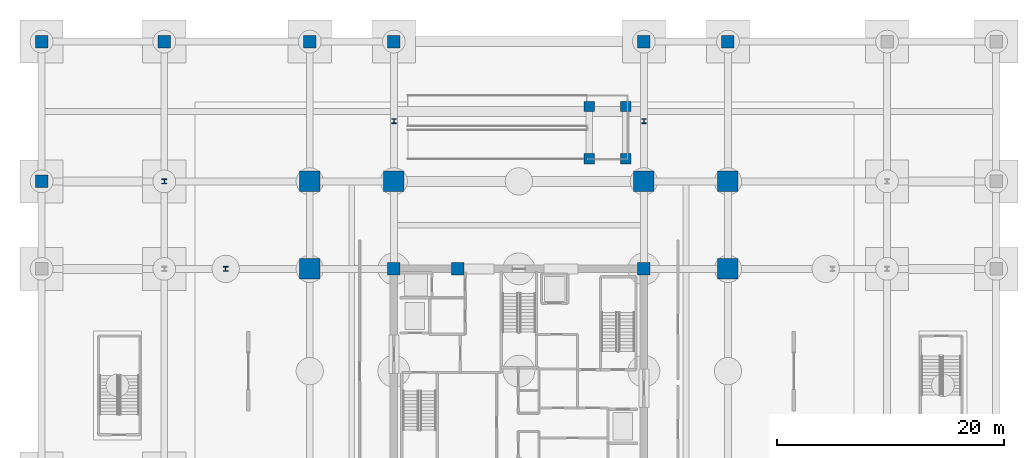
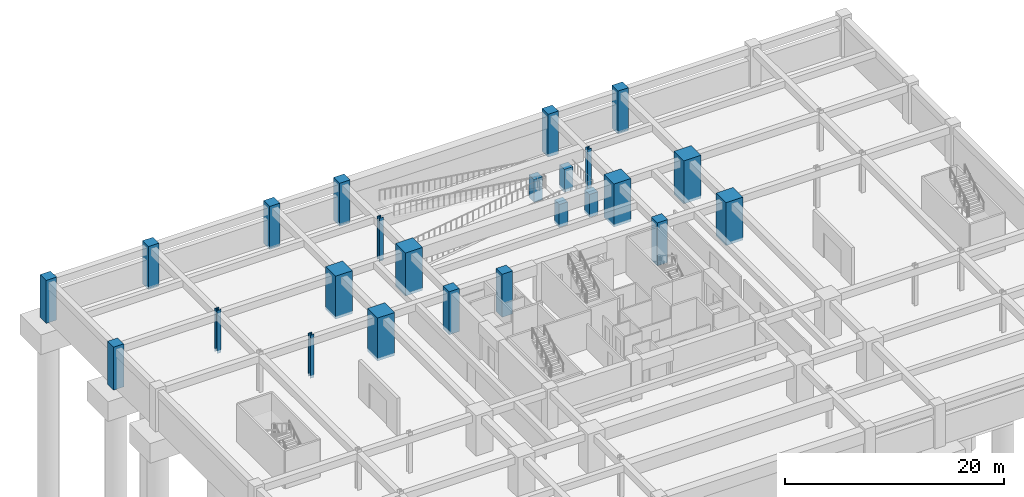
# One storey, part 3 of 17: 24 columns.
"""IFC4 building model written with IfcOpenShell, lengths in metres."""

import ifcopenshell
import ifcopenshell.guid

model = None  # the IFC model being written
_history = None  # IfcOwnerHistory: only IFC2X3 demands one
_inside = {}  # id of a spatial element -> (the spatial element, [elements in it])
_under = {}  # id of a project, library or spatial element -> (it, [spatial elements below it])
_declared = {}  # id of a project -> (the project, [libraries it declares])
_typed = {}  # id of a type object -> (the type object, [elements of that type])
_made_of = {}  # id of a material, layer set ... -> (it, [elements and type objects made of it])


def new_model(schema):
    """Start an empty IFC model of exactly this schema.

    Asked for "IFC4X3", IfcOpenShell would pick the latest addendum, in which some entities
    have other attributes; the version numbers below select the first issue.
    IFC2X3 requires an IfcOwnerHistory on every rooted entity: one is made here for all.
    """
    global model, _history
    if schema == "IFC4X3":
        model = ifcopenshell.file(schema_version=(4, 3, 0, 0))
    else:
        model = ifcopenshell.file(schema=schema)
    _inside.clear()
    _under.clear()
    _declared.clear()
    _typed.clear()
    _made_of.clear()
    _history = None
    if model.schema == "IFC2X3":
        org = make("IfcOrganization", Name="unknown")
        user = make(
            "IfcPersonAndOrganization",
            ThePerson=make("IfcPerson", FamilyName="unknown"),
            TheOrganization=org,
        )
        app = make(
            "IfcApplication",
            ApplicationDeveloper=org,
            Version="unknown",
            ApplicationFullName="unknown",
            ApplicationIdentifier="unknown",
        )
        _history = make(
            "IfcOwnerHistory",
            OwningUser=user,
            OwningApplication=app,
            ChangeAction="ADDED",
            CreationDate=0,
        )
    return model


def make(cls, **values):
    """One entity of the class cls with the attributes given. An attribute that is None is left unset."""
    return model.create_entity(
        cls, **{name: value for name, value in values.items() if value is not None}
    )


def rooted(cls, **values):
    """An entity with a GlobalId (a new one), such as an element, a storey or a relation."""
    return make(cls, GlobalId=ifcopenshell.guid.new(), OwnerHistory=_history, **values)


def si_unit(unit_type, name, prefix=None):
    """IfcSIUnit, for example si_unit("LENGTHUNIT", "METRE", prefix="MILLI")."""
    return make("IfcSIUnit", UnitType=unit_type, Prefix=prefix, Name=name)


def assignment(units):
    """IfcUnitAssignment: the units of a project."""
    return None if units is None else make("IfcUnitAssignment", Units=units)


def point(xyz):
    """IfcCartesianPoint."""
    return None if xyz is None else make("IfcCartesianPoint", Coordinates=xyz)


def direction(xyz):
    """IfcDirection."""
    return None if xyz is None else make("IfcDirection", DirectionRatios=xyz)


def frame(location, z_axis=None, x_axis=None):
    """IfcAxis2Placement3D, a coordinate frame: its origin and axes. An axis left out is left unset."""
    return make(
        "IfcAxis2Placement3D",
        Location=point(location),
        Axis=direction(z_axis),
        RefDirection=direction(x_axis),
    )


def frame_2d(location, x_axis=None):
    """IfcAxis2Placement2D, a coordinate frame in the plane: its origin and x axis."""
    return make(
        "IfcAxis2Placement2D", Location=point(location), RefDirection=direction(x_axis)
    )


def origin():
    """The frame at (0, 0, 0) with its axes left unset."""
    return frame((0.0, 0.0, 0.0))


def origin_2d():
    """The frame at (0, 0) in the plane with its x axis left unset."""
    return frame_2d((0.0, 0.0))


def place(relative_to, where):
    """IfcLocalPlacement: puts the frame where relative to a parent placement (None: the world)."""
    return make(
        "IfcLocalPlacement", PlacementRelTo=relative_to, RelativePlacement=where
    )


def context(
    kind, dimensions, precision=None, world=None, true_north=None, identifier=None
):
    """IfcGeometricRepresentationContext, for example the 3D "Model" context."""
    return make(
        "IfcGeometricRepresentationContext",
        ContextIdentifier=identifier,
        ContextType=kind,
        CoordinateSpaceDimension=dimensions,
        Precision=precision,
        WorldCoordinateSystem=world,
        TrueNorth=true_north,
    )


def subcontext(parent, identifier, kind, view, scale=None):
    """IfcGeometricRepresentationSubContext, for example "Body" below "Model"."""
    return make(
        "IfcGeometricRepresentationSubContext",
        ContextIdentifier=identifier,
        ContextType=kind,
        ParentContext=parent,
        TargetScale=scale,
        TargetView=view,
    )


def project(units=None, contexts=None):
    """IfcProject with its units and contexts."""
    return rooted(
        "IfcProject",
        Name="project",
        RepresentationContexts=contexts,
        UnitsInContext=assignment(units),
    )


def spatial(cls, under=None, at=None, **own):
    """A site, building, storey or space (cls), placed at a placement, below another one or the project."""
    s = rooted(cls, ObjectPlacement=at, **own)
    if under is not None:
        _under.setdefault(under.id(), (under, []))[1].append(s)
    return s


def profile(cls, at=None, kind="AREA", **sizes):
    """A parametric profile (cls). Its sizes go by their IFC names, for example OverallWidth=200.0."""
    return make(cls, ProfileType=kind, Position=at, **sizes)


def rectangle(**sizes):
    """IfcRectangleProfileDef."""
    return profile("IfcRectangleProfileDef", **sizes)


def i_section(**sizes):
    """IfcIShapeProfileDef."""
    return profile("IfcIShapeProfileDef", **sizes)


def extrude(swept, where, along, depth):
    """IfcExtrudedAreaSolid: the profile swept, set in the frame where, extruded along a direction by depth."""
    return make(
        "IfcExtrudedAreaSolid",
        SweptArea=swept,
        Position=where,
        ExtrudedDirection=direction(along),
        Depth=depth,
    )


def shape(context_of_items, identifier, shape_type, items):
    """IfcShapeRepresentation: the items that make up one representation, for example the "Body"."""
    return make(
        "IfcShapeRepresentation",
        ContextOfItems=context_of_items,
        RepresentationIdentifier=identifier,
        RepresentationType=shape_type,
        Items=items,
    )


def material(Name=None, Category=None):
    """IfcMaterial."""
    return make("IfcMaterial", Name=Name, Category=Category)


def material_profile(
    of_material, cross_section, Name=None, Category=None, Priority=None
):
    """IfcMaterialProfile: a cross section and its material."""
    return make(
        "IfcMaterialProfile",
        Name=Name,
        Material=of_material,
        Profile=cross_section,
        Priority=Priority,
        Category=Category,
    )


def profile_set(profiles, Name=None, composite=None):
    """IfcMaterialProfileSet."""
    return make(
        "IfcMaterialProfileSet",
        Name=Name,
        MaterialProfiles=profiles,
        CompositeProfile=composite,
    )


def made_of(thing, what):
    """Note that an element or type object is made of a material, layer set ...; save() writes the relation."""
    if what is not None:
        _made_of.setdefault(what.id(), (what, []))[1].append(thing)
    return thing


def type_object(cls, material=None, **own):
    """A type object (cls), such as IfcWallType, which elements share."""
    return made_of(rooted(cls, **own), material)


def element(
    cls,
    number,
    at=None,
    inside=None,
    cuts=None,
    type_object=None,
    material=None,
    context=None,
    identifier="Body",
    shape_type=None,
    held_by="IfcProductDefinitionShape",
    body=None,
    shapes=None,
    **own,
):
    """One element of the class cls, such as IfcWall. Its Tag is "e" and its number.

    at: its placement. inside: the storey or other place that contains it. cuts: it is an
    opening in that element (IfcRelVoidsElement). A single representation is given by context,
    identifier, shape_type and body (its items); several are given by shapes. held_by: the class
    of the entity that holds the representations. save() writes the other relations.
    """
    e = rooted(cls, Tag="e%d" % number, ObjectPlacement=at, **own)
    if body is not None:
        shapes = [shape(context, identifier, shape_type, body)]
    if shapes is not None:
        e.Representation = make(held_by, Representations=shapes)
    if inside is not None:
        _inside.setdefault(inside.id(), (inside, []))[1].append(e)
    if cuts is not None:
        rooted(
            "IfcRelVoidsElement", RelatingBuildingElement=cuts, RelatedOpeningElement=e
        )
    if type_object is not None:
        _typed.setdefault(type_object.id(), (type_object, []))[1].append(e)
    return made_of(e, material)


def aggregate(whole, parts):
    """IfcRelAggregates: a whole, such as a stair, and the parts it consists of."""
    return rooted("IfcRelAggregates", RelatingObject=whole, RelatedObjects=parts)


def save(model, path):
    """Write the relations noted so far, then the file.

    IfcRelAggregates (storeys below a building ...), IfcRelContainedInSpatialStructure (elements
    in a storey), IfcRelDefinesByType, IfcRelAssociatesMaterial and IfcRelDeclares: one each for
    every whole, place, type object, material and project.
    """
    for whole, parts in _under.values():
        aggregate(whole, parts)
    for where, things in _inside.values():
        rooted(
            "IfcRelContainedInSpatialStructure",
            RelatedElements=things,
            RelatingStructure=where,
        )
    for kind, things in _typed.values():
        rooted("IfcRelDefinesByType", RelatedObjects=things, RelatingType=kind)
    for what, things in _made_of.values():
        rooted("IfcRelAssociatesMaterial", RelatedObjects=things, RelatingMaterial=what)
    for by, libraries in _declared.values():
        rooted("IfcRelDeclares", RelatingContext=by, RelatedDefinitions=libraries)
    model.write(path)


model = new_model("IFC4")

# Units and contexts
model_context = context("Model", 3, precision=1e-05, world=origin(), true_north=direction((0.0, 1.0)))
body_context = subcontext(model_context, "Body", "Model", "MODEL_VIEW")
ifc_project = project(units=[si_unit("LENGTHUNIT", "METRE"), si_unit("AREAUNIT", "SQUARE_METRE"), si_unit("VOLUMEUNIT", "CUBIC_METRE"), si_unit("PLANEANGLEUNIT", "RADIAN"), si_unit("MASSUNIT", "GRAM", prefix="KILO")], contexts=[model_context])

# Site, building, storey
site_placement = place(None, origin())
site = spatial("IfcSite", under=ifc_project, at=site_placement, CompositionType="ELEMENT")
building_placement = place(site_placement, origin())
building = spatial("IfcBuilding", under=site, at=building_placement, Name="Kovane Verandah Tower", CompositionType="ELEMENT")
storey_placement = place(building_placement, frame((0.0, 0.0, -9.0)))
storey = spatial("IfcBuildingStorey", under=building, at=storey_placement, Name="B2", CompositionType="ELEMENT", Elevation=-9.0)

# Columns
ifc_material_1 = material(Name="Concrete C60/75", Category="concrete")
ifc_material_profile_1 = material_profile(ifc_material_1, rectangle(XDim=1.10009765625, YDim=1.10009765625, at=origin_2d()), Name="RC1100x1100")
ifc_profile_set_1 = profile_set([ifc_material_profile_1], Name="Concrete C60/75")
column_type_1 = type_object("IfcColumnType", Name="COL-POD1100", PredefinedType="COLUMN", material=ifc_profile_set_1)
for number, where, z_axis, x_axis, name in (
    (1, (-2.0, 44.199951171875, -0.300048828125), (0.0, 0.0, 1.0), (1.0, 0.0, 0.0), "B2 Podium Column PC-W4"),
    (2, (-2.0, 56.5, -0.300048828125), (0.0, 0.0, 1.0), (1.0, 0.0, 0.0), "B2 Podium Column PC-W5"),
    (3, (8.800048828125, 56.5, -0.300048828125), (0.0, 0.0, 1.0), (1.0, 0.0, 0.0), "B2 Podium Column PC-N1"),
    (4, (21.60009765625, 56.5, -0.300048828125), (0.0, 0.0, 1.0), (1.0, 0.0, 0.0), "B2 Podium Column PC-N2"),
    (5, (29.0, 56.5, -0.300048828125), (0.0, 0.0, 1.0), (1.0, 0.0, 0.0), "B2 Podium Column PC-N3"),
    (6, (51.0, 56.5, -0.300048828125), (0.0, 0.0, 1.0), (1.0, 0.0, 0.0), "B2 Podium Column PC-N4"),
    (7, (58.39990234375, 56.5, -0.300048828125), (0.0, 0.0, 1.0), (1.0, 0.0, 0.0), "B2 Podium Column PC-N5"),
):
    element("IfcColumn", number, at=place(storey_placement, frame(where, z_axis=z_axis, x_axis=x_axis)), inside=storey, type_object=column_type_1, Name=name, PredefinedType="COLUMN", context=body_context, shape_type="SweptSolid", body=[
        extrude(rectangle(XDim=1.10009765625, YDim=1.10009765625, at=origin_2d()), origin(), (0.0, 0.0, 1.0), 4.800048828125),
    ])
ifc_material_2 = material(Name="Concrete C80/95", Category="concrete")
ifc_material_profile_2 = material_profile(ifc_material_2, rectangle(XDim=1.800048828125, YDim=1.800048828125, at=origin_2d()), Name="RC1800x1800")
ifc_profile_set_2 = profile_set([ifc_material_profile_2], Name="Concrete C80/95")
column_type_2 = type_object("IfcColumnType", Name="COL-RC1800", PredefinedType="COLUMN", material=ifc_profile_set_2)
for number, where, z_axis, x_axis, name in (
    (8, (29.0, 44.199951171875, -0.300048828125), (0.0, 0.0, 1.0), (1.0, 0.0, 0.0), "B2 Tower Mega-Column MC-N1"),
    (9, (51.0, 44.199951171875, -0.300048828125), (0.0, 0.0, 1.0), (1.0, 0.0, 0.0), "B2 Tower Mega-Column MC-N2"),
    (10, (21.60009765625, 36.5, -0.300048828125), (0.0, 0.0, 1.0), (1.0, 0.0, 0.0), "B2 Tower Mega-Column MC-W2"),
    (11, (58.39990234375, 36.5, -0.300048828125), (0.0, 0.0, 1.0), (1.0, 0.0, 0.0), "B2 Tower Mega-Column MC-E2"),
    (12, (21.60009765625, 44.199951171875, -0.300048828125), (0.0, 0.0, 1.0), (1.0, 0.0, 0.0), "B2 Tower Mega-Column MC-NW"),
    (13, (58.39990234375, 44.199951171875, -0.300048828125), (0.0, 0.0, 1.0), (1.0, 0.0, 0.0), "B2 Tower Mega-Column MC-NE"),
):
    element("IfcColumn", number, at=place(storey_placement, frame(where, z_axis=z_axis, x_axis=x_axis)), inside=storey, type_object=column_type_2, Name=name, PredefinedType="COLUMN", context=body_context, shape_type="SweptSolid", body=[
        extrude(rectangle(XDim=1.800048828125, YDim=1.800048828125, at=origin_2d()), origin(), (0.0, 0.0, 1.0), 4.800048828125),
    ])
ifc_material_3 = material(Name="Steel S460", Category="steel")
ifc_material_profile_3 = material_profile(ifc_material_3, i_section(OverallWidth=0.412109375, OverallDepth=0.4365234375, WebThickness=0.035888671875, FlangeThickness=0.05810546875, FilletRadius=0.01513671875, at=origin_2d()), Name="UC356x406x467")
ifc_profile_set_3 = profile_set([ifc_material_profile_3], Name="Steel S460")
column_type_3 = type_object("IfcColumnType", Name="COL-UC467", PredefinedType="COLUMN", material=ifc_profile_set_3)
for number, where, z_axis, x_axis, name in (
    (14, (14.199951171875, 36.5, -0.300048828125), (0.0, 0.0, 1.0), (1.0, 0.0, 0.0), "B2 Verandah Perimeter Column VC-W2"),
    (15, (29.0, 49.5, -0.300048828125), (0.0, 0.0, 1.0), (1.0, 0.0, 0.0), "B2 Verandah Perimeter Column VC-N1"),
    (16, (51.0, 49.5, -0.300048828125), (0.0, 0.0, 1.0), (1.0, 0.0, 0.0), "B2 Verandah Perimeter Column VC-N2"),
):
    element("IfcColumn", number, at=place(storey_placement, frame(where, z_axis=z_axis, x_axis=x_axis)), inside=storey, type_object=column_type_3, Name=name, PredefinedType="COLUMN", context=body_context, shape_type="SweptSolid", body=[
        extrude(i_section(OverallWidth=0.412109375, OverallDepth=0.4365234375, WebThickness=0.035888671875, FlangeThickness=0.05810546875, FilletRadius=0.01513671875, at=origin_2d()), origin(), (0.0, 0.0, 1.0), 4.800048828125),
    ])
ifc_material_4 = material(Name="Steel S355", Category="steel")
ifc_material_profile_4 = material_profile(ifc_material_4, i_section(OverallWidth=0.41845703125, OverallDepth=0.45556640625, WebThickness=0.0419921875, FlangeThickness=0.0673828125, FilletRadius=0.01513671875, at=origin_2d()), Name="UC356x406x551")
ifc_profile_set_4 = profile_set([ifc_material_profile_4], Name="Steel S355")
column_type_4 = type_object("IfcColumnType", Name="COL-UC551", PredefinedType="COLUMN", material=ifc_profile_set_4)
column_placement = place(storey_placement, frame((8.800048828125, 44.199951171875, -0.300048828125), z_axis=(0.0, 0.0, 1.0), x_axis=(1.0, 0.0, 0.0)))
element("IfcColumn", 17, at=column_placement, inside=storey, type_object=column_type_4, Name="B2 Podium Column PC-MW4", PredefinedType="COLUMN", context=body_context, shape_type="SweptSolid", body=[
    extrude(i_section(OverallWidth=0.41845703125, OverallDepth=0.45556640625, WebThickness=0.0419921875, FlangeThickness=0.0673828125, FilletRadius=0.01513671875, at=origin_2d()), origin(), (0.0, 0.0, 1.0), 4.800048828125),
])
ifc_material_5 = material(Name="Concrete C45/55", Category="concrete")
ifc_material_profile_5 = material_profile(ifc_material_5, rectangle(XDim=0.89990234375, YDim=0.89990234375, at=origin_2d()), Name="RC900x900")
ifc_profile_set_5 = profile_set([ifc_material_profile_5], Name="Concrete C45/55")
column_type_5 = type_object("IfcColumnType", Name="COL-VR900", PredefinedType="COLUMN", material=ifc_profile_set_5)
for number, where, z_axis, x_axis, name in (
    (18, (46.199951171875, 46.199951171875, -0.300048828125), (0.0, 0.0, 1.0), (1.0, 0.0, 0.0), "B2 Vehicle Ramp Landing Column 1"),
    (19, (49.39990234375, 46.199951171875, -0.300048828125), (0.0, 0.0, 1.0), (1.0, 0.0, 0.0), "B2 Vehicle Ramp Landing Column 2"),
    (20, (46.199951171875, 50.800048828125, -0.300048828125), (0.0, 0.0, 1.0), (1.0, 0.0, 0.0), "B2 Vehicle Ramp Landing Column 3"),
    (21, (49.39990234375, 50.800048828125, -0.300048828125), (0.0, 0.0, 1.0), (1.0, 0.0, 0.0), "B2 Vehicle Ramp Landing Column 4"),
):
    element("IfcColumn", number, at=place(storey_placement, frame(where, z_axis=z_axis, x_axis=x_axis)), inside=storey, type_object=column_type_5, Name=name, PredefinedType="COLUMN", context=body_context, shape_type="SweptSolid", body=[
        extrude(rectangle(XDim=0.89990234375, YDim=0.89990234375, at=origin_2d()), origin(), (0.0, 0.0, 1.0), 2.550048828125),
    ])
ifc_material_profile_6 = material_profile(ifc_material_2, rectangle(XDim=1.10009765625, YDim=1.10009765625, at=origin_2d()), Name="RC1100x1100")
ifc_profile_set_6 = profile_set([ifc_material_profile_6], Name="Concrete C80/95")
column_type_6 = type_object("IfcColumnType", Name="PIL-RC1100", PredefinedType="PILASTER", material=ifc_profile_set_6)
for number, where, z_axis, x_axis, name in (
    (22, (29.0, 36.5, -0.300048828125), (0.0, 0.0, 1.0), (1.0, 0.0, 0.0), "B2 Core Pilaster CP-NW"),
    (23, (51.0, 36.5, -0.300048828125), (0.0, 0.0, 1.0), (1.0, 0.0, 0.0), "B2 Core Pilaster CP-NE"),
    (24, (34.60009765625, 36.5, -0.300048828125), (0.0, 0.0, 1.0), (1.0, 0.0, 0.0), "B2 Core Pilaster CP-N"),
):
    element("IfcColumn", number, at=place(storey_placement, frame(where, z_axis=z_axis, x_axis=x_axis)), inside=storey, type_object=column_type_6, Name=name, PredefinedType="PILASTER", context=body_context, shape_type="SweptSolid", body=[
        extrude(rectangle(XDim=1.10009765625, YDim=1.10009765625, at=origin_2d()), origin(), (0.0, 0.0, 1.0), 4.800048828125),
    ])

save(model, "model.ifc")
